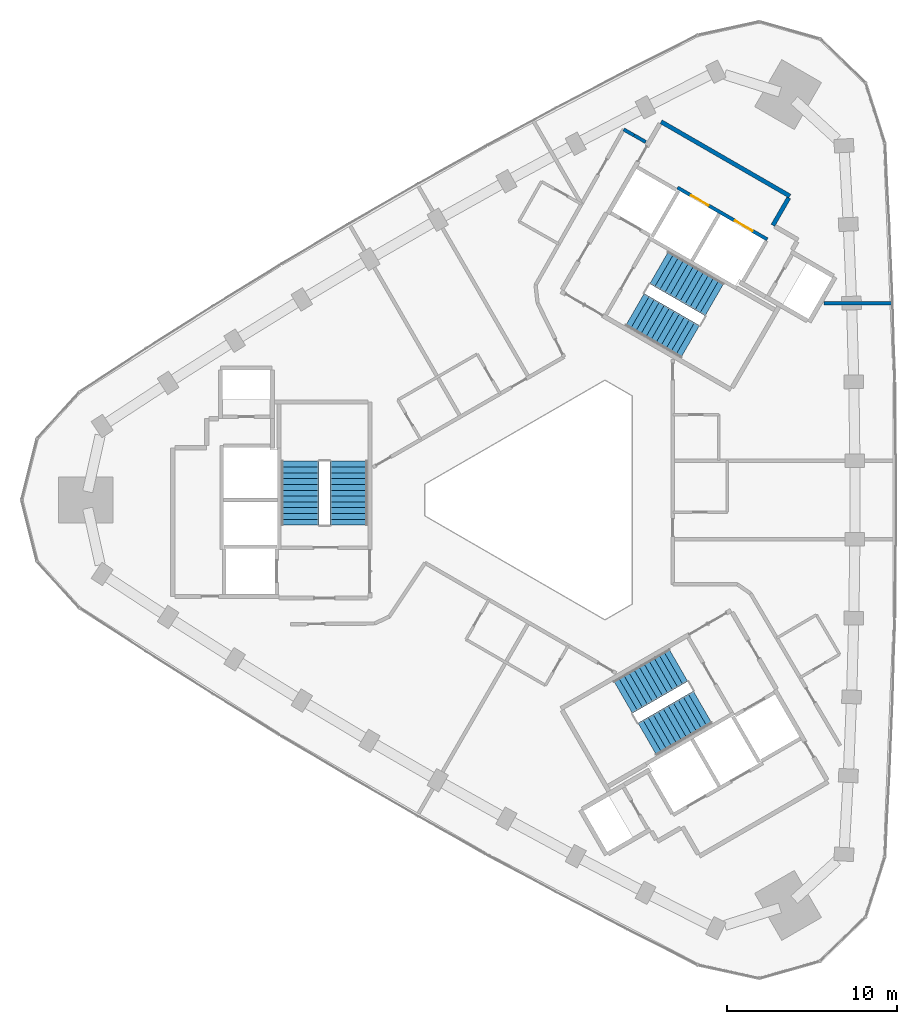
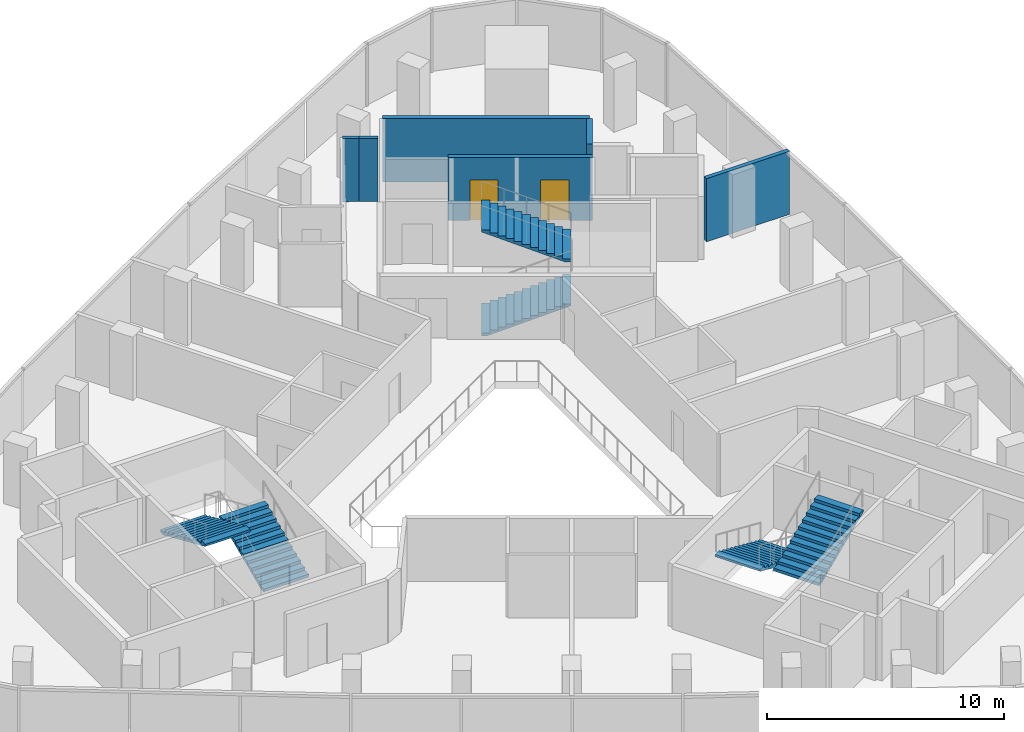
# One storey, part 10 of 11: 6 stair flights, 6 walls, 2 doors, 2 openings, 3 elements without a shape of their own.
"""IFC4 building model written with IfcOpenShell, lengths in metres."""

from ifc_helpers import new_model, si_unit, direction, frame, frame_2d, origin, place, context, subcontext, project, spatial, polyline, rectangle, outline, extrude, material, layer, layer_set, type_object, element, fill, aggregate, save


model = new_model("IFC4")

# Units and contexts
model_context = context("Model", 3, precision=1e-05, world=origin(), true_north=direction((0.0, 1.0)))
body_context = subcontext(model_context, "Body", "Model", "MODEL_VIEW")
ifc_project = project(units=[si_unit("LENGTHUNIT", "METRE"), si_unit("AREAUNIT", "SQUARE_METRE"), si_unit("VOLUMEUNIT", "CUBIC_METRE"), si_unit("PLANEANGLEUNIT", "RADIAN"), si_unit("MASSUNIT", "GRAM", prefix="KILO")], contexts=[model_context])

# Site, building, storey
site_placement = place(None, origin())
site = spatial("IfcSite", under=ifc_project, at=site_placement, CompositionType="ELEMENT")
building_placement = place(site_placement, origin())
building = spatial("IfcBuilding", under=site, at=building_placement, Name="Tamra Quay Hotel Tower", CompositionType="ELEMENT")
storey_placement = place(building_placement, frame((0.0, 0.0, 190.0)))
storey = spatial("IfcBuildingStorey", under=building, at=storey_placement, Name="L47", CompositionType="ELEMENT", Elevation=190.0)

# Wall, openings, doors
ifc_material_1 = material(Name="Concrete M70", Category="concrete")
ifc_layer_1 = layer(ifc_material_1, 0.199951171875)
ifc_layer_set_1 = layer_set([ifc_layer_1], Name="Concrete M70 core wall 200")
wall_type_1 = type_object("IfcWallType", Name="Concrete M70 core wall 200", PredefinedType="SHEAR", material=ifc_layer_set_1)
wall_1_placement = place(storey_placement, frame((12.552490234375, 15.341552734375, 0.0), z_axis=(0.0, 0.0, 1.0), x_axis=(-0.866030299012, 0.499991521122, 0.0)))
wall_1 = element("IfcWall", 1, at=wall_1_placement, inside=storey, type_object=wall_type_1, Name="CW2", PredefinedType="SHEAR", context=body_context, shape_type="SweptSolid", body=[
    extrude(rectangle(XDim=6.10009765625, YDim=0.199951171875, at=frame_2d((3.050048828125, 0.0))), origin(), (0.0, 0.0, 1.0), 3.25),
])
opening_1_placement = place(wall_1_placement, frame((1.0, 0.0, 0.0)))
opening_1 = element("IfcOpeningElement", 2, at=opening_1_placement, cuts=wall_1, Name="Opening LD", PredefinedType="OPENING", context=body_context, shape_type="SweptSolid", body=[
    extrude(rectangle(XDim=1.199951171875, YDim=2.10009765625, at=frame_2d((0.60009765625, 1.050048828125))), frame((0.0, 0.10986328125, 0.0), z_axis=(0.0, -1.0, 0.0), x_axis=(1.0, 0.0, 0.0)), (0.0, 0.0, 1.0), 0.219970703125),
])
opening_2_placement = place(wall_1_placement, frame((3.982177734375, 0.0, 0.0)))
opening_2 = element("IfcOpeningElement", 3, at=opening_2_placement, cuts=wall_1, Name="Opening LD", PredefinedType="OPENING", context=body_context, shape_type="SweptSolid", body=[
    extrude(rectangle(XDim=1.199951171875, YDim=2.10009765625, at=frame_2d((0.60009765625, 1.050048828125))), frame((0.0, 0.10986328125, 0.0), z_axis=(0.0, -1.0, 0.0), x_axis=(1.0, 0.0, 0.0)), (0.0, 0.0, 1.0), 0.219970703125),
])
ifc_material_2 = material(Name="Landing door LD 1200 double door sliding")
door_type = type_object("IfcDoorType", Name="Landing door LD 1200 double door sliding", OperationType="DOUBLE_DOOR_SLIDING", PredefinedType="DOOR", material=ifc_material_2)
door_1_placement = place(opening_1_placement, origin())
door_1 = element("IfcDoor", 4, at=door_1_placement, inside=storey, type_object=door_type, Name="LD", OperationType="DOUBLE_DOOR_SLIDING", OverallHeight=2.10009765625, OverallWidth=1.199951171875, PredefinedType="DOOR", context=body_context, shape_type="SweptSolid", body=[
    extrude(rectangle(XDim=1.199951171875, YDim=2.10009765625, at=frame_2d((0.60009765625, 1.050048828125))), frame((0.0, 0.02490234375, 0.0), z_axis=(0.0, -1.0, 0.0), x_axis=(1.0, 0.0, 0.0)), (0.0, 0.0, 1.0), 0.050048828125),
])
fill(opening_1, door_1)
door_2_placement = place(opening_2_placement, origin())
door_2 = element("IfcDoor", 5, at=door_2_placement, inside=storey, type_object=door_type, Name="LD", OperationType="DOUBLE_DOOR_SLIDING", OverallHeight=2.10009765625, OverallWidth=1.199951171875, PredefinedType="DOOR", context=body_context, shape_type="SweptSolid", body=[
    extrude(rectangle(XDim=1.199951171875, YDim=2.10009765625, at=frame_2d((0.60009765625, 1.050048828125))), frame((0.0, 0.02490234375, 0.0), z_axis=(0.0, -1.0, 0.0), x_axis=(1.0, 0.0, 0.0)), (0.0, 0.0, 1.0), 0.050048828125),
])
fill(opening_2, door_2)

# Walls
ifc_layer_2 = layer(ifc_material_1, 0.25)
ifc_layer_set_2 = layer_set([ifc_layer_2], Name="Concrete M70 core wall 250")
wall_type_2 = type_object("IfcWallType", Name="Concrete M70 core wall 250", PredefinedType="SHEAR", material=ifc_layer_set_2)
wall_2_placement = place(storey_placement, frame((6.303955078125, 22.268798828125, 0.0), z_axis=(0.0, 0.0, 1.0), x_axis=(0.866022959057, -0.500004234368, 0.0)))
element("IfcWall", 6, at=wall_2_placement, inside=storey, type_object=wall_type_2, Name="CW1", PredefinedType="SHEAR", context=body_context, shape_type="SweptSolid", body=[
    extrude(rectangle(XDim=8.75, YDim=0.25, at=frame_2d((4.375, 0.0))), origin(), (0.0, 0.0, 1.0), 3.25),
])
wall_3_placement = place(storey_placement, frame((13.819091796875, 17.78515625, 0.0), z_axis=(0.0, 0.0, 1.0), x_axis=(-0.500039802285, -0.866002422705, 0.0)))
element("IfcWall", 7, at=wall_3_placement, inside=storey, type_object=wall_type_2, Name="CW1", PredefinedType="SHEAR", context=body_context, shape_type="SweptSolid", body=[
    extrude(rectangle(XDim=1.864501953125, YDim=0.25, at=frame_2d((0.93212890625, 0.0))), origin(), (0.0, 0.0, 1.0), 3.25),
])
ifc_material_3 = material(Name="Partition corridor wall")
ifc_layer_3 = layer(ifc_material_3, 0.199951171875)
ifc_layer_set_3 = layer_set([ifc_layer_3], Name="Partition corridor wall")
wall_type_3 = type_object("IfcWallType", Name="Partition corridor wall", PredefinedType="PARTITIONING", material=ifc_layer_set_3)
wall_4_placement = place(storey_placement, frame((4.10205078125, 21.81591796875, 0.0), z_axis=(0.0, 0.0, 1.0), x_axis=(0.867664502326, -0.497150189986, 0.0)))
element("IfcWall", 8, at=wall_4_placement, inside=storey, type_object=wall_type_3, Name="W-C", PredefinedType="PARTITIONING", context=body_context, shape_type="SweptSolid", body=[
    extrude(rectangle(XDim=0.70166015625, YDim=0.199951171875, at=frame_2d((0.350830078125, 0.0))), origin(), (0.0, 0.0, 1.0), 3.25),
])
wall_5_placement = place(storey_placement, frame((4.716064453125, 21.468017578125, 0.0), z_axis=(0.0, 0.0, 1.0), x_axis=(0.865912682783, -0.500195187698, 0.0)))
element("IfcWall", 9, at=wall_5_placement, inside=storey, type_object=wall_type_3, Name="W-C", PredefinedType="PARTITIONING", context=body_context, shape_type="SweptSolid", body=[
    extrude(rectangle(XDim=0.789794921875, YDim=0.199951171875, at=frame_2d((0.39501953125, 0.0))), origin(), (0.0, 0.0, 1.0), 3.25),
])
ifc_material_4 = material(Name="Partition party wall")
ifc_layer_4 = layer(ifc_material_4, 0.199951171875)
ifc_layer_set_4 = layer_set([ifc_layer_4], Name="Partition party wall")
wall_type_4 = type_object("IfcWallType", Name="Partition party wall", PredefinedType="PARTITIONING", material=ifc_layer_set_4)
wall_6_placement = place(storey_placement, frame((15.884033203125, 11.592041015625, 0.0), z_axis=(0.0, 0.0, 1.0), x_axis=(1.0, 0.0, 0.0)))
element("IfcWall", 10, at=wall_6_placement, inside=storey, type_object=wall_type_4, Name="W-P", PredefinedType="PARTITIONING", context=body_context, shape_type="SweptSolid", body=[
    extrude(rectangle(XDim=4.0419921875, YDim=0.199951171875, at=frame_2d((2.02099609375, 0.0))), origin(), (0.0, 0.0, 1.0), 3.25),
])

# Stair, stair flights
ifc_material_5 = material(Name="Exit stair 2200 24 risers 150.0 going 342")
stair_type = type_object("IfcStairType", Name="Exit stair 2200 24 risers 150.0 going 342", PredefinedType="HALF_TURN_STAIR", material=ifc_material_5)
stair_1_placement = place(storey_placement, origin())
stair_1 = element("IfcStair", 11, at=stair_1_placement, inside=storey, type_object=stair_type, Name="L47 Exit stair ST3", PredefinedType="HALF_TURN_STAIR")
ifc_material_6 = material(Name="Exit stair flight 2200 12 risers 150.0")
stair_flight_type = type_object("IfcStairFlightType", Name="Exit stair flight 2200 12 risers 150.0", PredefinedType="STRAIGHT", material=ifc_material_6)
stair_flight_1_placement = place(storey_placement, frame((-12.082275390625, -1.47998046875, 0.0), z_axis=(0.0, 0.0, 1.0), x_axis=(0.0, 1.0, 0.0)))
stair_flight_1 = element("IfcStairFlight", 12, at=stair_flight_1_placement, type_object=stair_flight_type, Name="ST3 flight 1", NumberOfRisers=12, NumberOfTreads=11, PredefinedType="STRAIGHT", RiserHeight=0.15, TreadLength=0.342, context=body_context, shape_type="SweptSolid", body=[
    extrude(outline(polyline([(0.0, 0.0), (0.0, 0.14990234375), (0.342041015625, 0.14990234375), (0.342041015625, 0.300048828125), (0.68408203125, 0.300048828125), (0.68408203125, 0.449951171875), (1.02587890625, 0.449951171875), (1.02587890625, 0.60009765625), (1.367919921875, 0.60009765625), (1.367919921875, 0.75), (1.7099609375, 0.75), (1.7099609375, 0.89990234375), (2.052001953125, 0.89990234375), (2.052001953125, 1.050048828125), (2.39404296875, 1.050048828125), (2.39404296875, 1.199951171875), (2.736083984375, 1.199951171875), (2.736083984375, 1.35009765625), (3.077880859375, 1.35009765625), (3.077880859375, 1.5), (3.419921875, 1.5), (3.419921875, 1.64990234375), (3.761962890625, 1.64990234375), (3.761962890625, 1.800048828125), (3.761962890625, 1.540771484375), (0.249267578125, 0.0), (0.0, 0.0)])), frame((0.0, 1.10009765625, 0.0), z_axis=(0.0, -1.0, 0.0), x_axis=(1.0, 0.0, 0.0)), (0.0, 0.0, 1.0), 2.199951171875),
])
stair_flight_2_placement = place(storey_placement, frame((-14.94140625, 2.281982421875, 1.800048828125), z_axis=(0.0, 0.0, 1.0), x_axis=(0.0, -1.0, 0.0)))
stair_flight_2 = element("IfcStairFlight", 13, at=stair_flight_2_placement, type_object=stair_flight_type, Name="ST3 flight 2", NumberOfRisers=12, NumberOfTreads=11, PredefinedType="STRAIGHT", RiserHeight=0.15, TreadLength=0.342, context=body_context, shape_type="SweptSolid", body=[
    extrude(outline(polyline([(0.0, 0.0), (0.0, 0.14990234375), (0.342041015625, 0.14990234375), (0.342041015625, 0.300048828125), (0.68408203125, 0.300048828125), (0.68408203125, 0.449951171875), (1.02587890625, 0.449951171875), (1.02587890625, 0.60009765625), (1.367919921875, 0.60009765625), (1.367919921875, 0.75), (1.7099609375, 0.75), (1.7099609375, 0.89990234375), (2.052001953125, 0.89990234375), (2.052001953125, 1.050048828125), (2.39404296875, 1.050048828125), (2.39404296875, 1.199951171875), (2.736083984375, 1.199951171875), (2.736083984375, 1.35009765625), (3.077880859375, 1.35009765625), (3.077880859375, 1.5), (3.419921875, 1.5), (3.419921875, 1.64990234375), (3.761962890625, 1.64990234375), (3.761962890625, 1.800048828125), (3.761962890625, 1.540771484375), (0.249267578125, 0.0), (0.0, 0.0)])), frame((0.0, 1.10009765625, 0.0), z_axis=(0.0, -1.0, 0.0), x_axis=(1.0, 0.0, 0.0)), (0.0, 0.0, 1.0), 2.199951171875),
])
aggregate(stair_1, [stair_flight_1, stair_flight_2])

stair_2_placement = place(storey_placement, origin())
stair_2 = element("IfcStair", 14, at=stair_2_placement, inside=storey, type_object=stair_type, Name="L47 Exit stair ST1", PredefinedType="HALF_TURN_STAIR")
stair_flight_3_placement = place(storey_placement, frame((4.75927734375, 11.20361328125, 0.0), z_axis=(0.0, 0.0, 1.0), x_axis=(0.866025403784, -0.5, 0.0)))
stair_flight_3 = element("IfcStairFlight", 15, at=stair_flight_3_placement, type_object=stair_flight_type, Name="ST1 flight 1", NumberOfRisers=12, NumberOfTreads=11, PredefinedType="STRAIGHT", RiserHeight=0.15, TreadLength=0.342, context=body_context, shape_type="SweptSolid", body=[
    extrude(outline(polyline([(0.0, 0.0), (0.0, 0.14990234375), (0.342041015625, 0.14990234375), (0.342041015625, 0.300048828125), (0.68408203125, 0.300048828125), (0.68408203125, 0.449951171875), (1.02587890625, 0.449951171875), (1.02587890625, 0.60009765625), (1.367919921875, 0.60009765625), (1.367919921875, 0.75), (1.7099609375, 0.75), (1.7099609375, 0.89990234375), (2.052001953125, 0.89990234375), (2.052001953125, 1.050048828125), (2.39404296875, 1.050048828125), (2.39404296875, 1.199951171875), (2.736083984375, 1.199951171875), (2.736083984375, 1.35009765625), (3.077880859375, 1.35009765625), (3.077880859375, 1.5), (3.419921875, 1.5), (3.419921875, 1.64990234375), (3.761962890625, 1.64990234375), (3.761962890625, 1.800048828125), (3.761962890625, 1.540771484375), (0.249267578125, 0.0), (0.0, 0.0)])), frame((0.0, 1.10009765625, 0.0), z_axis=(0.0, -1.0, 0.0), x_axis=(1.0, 0.0, 0.0)), (0.0, 0.0, 1.0), 2.199951171875),
])
stair_flight_4_placement = place(storey_placement, frame((9.44677734375, 11.798583984375, 1.800048828125), z_axis=(0.0, 0.0, 1.0), x_axis=(-0.866025403784, 0.5, 0.0)))
stair_flight_4 = element("IfcStairFlight", 16, at=stair_flight_4_placement, type_object=stair_flight_type, Name="ST1 flight 2", NumberOfRisers=12, NumberOfTreads=11, PredefinedType="STRAIGHT", RiserHeight=0.15, TreadLength=0.342, context=body_context, shape_type="SweptSolid", body=[
    extrude(outline(polyline([(0.0, 0.0), (0.0, 0.14990234375), (0.342041015625, 0.14990234375), (0.342041015625, 0.300048828125), (0.68408203125, 0.300048828125), (0.68408203125, 0.449951171875), (1.02587890625, 0.449951171875), (1.02587890625, 0.60009765625), (1.367919921875, 0.60009765625), (1.367919921875, 0.75), (1.7099609375, 0.75), (1.7099609375, 0.89990234375), (2.052001953125, 0.89990234375), (2.052001953125, 1.050048828125), (2.39404296875, 1.050048828125), (2.39404296875, 1.199951171875), (2.736083984375, 1.199951171875), (2.736083984375, 1.35009765625), (3.077880859375, 1.35009765625), (3.077880859375, 1.5), (3.419921875, 1.5), (3.419921875, 1.64990234375), (3.761962890625, 1.64990234375), (3.761962890625, 1.800048828125), (3.761962890625, 1.540771484375), (0.249267578125, 0.0), (0.0, 0.0)])), frame((0.0, 1.10009765625, 0.0), z_axis=(0.0, -1.0, 0.0), x_axis=(1.0, 0.0, 0.0)), (0.0, 0.0, 1.0), 2.199951171875),
])
aggregate(stair_2, [stair_flight_3, stair_flight_4])

stair_3_placement = place(storey_placement, origin())
stair_3 = element("IfcStair", 17, at=stair_3_placement, inside=storey, type_object=stair_type, Name="L47 Exit stair ST2", PredefinedType="HALF_TURN_STAIR")
stair_flight_5_placement = place(storey_placement, frame((7.322998046875, -9.7236328125, 0.0), z_axis=(0.0, 0.0, 1.0), x_axis=(-0.866025403784, -0.5, 0.0)))
stair_flight_5 = element("IfcStairFlight", 18, at=stair_flight_5_placement, type_object=stair_flight_type, Name="ST2 flight 1", NumberOfRisers=12, NumberOfTreads=11, PredefinedType="STRAIGHT", RiserHeight=0.15, TreadLength=0.342, context=body_context, shape_type="SweptSolid", body=[
    extrude(outline(polyline([(0.0, 0.0), (0.0, 0.14990234375), (0.342041015625, 0.14990234375), (0.342041015625, 0.300048828125), (0.68408203125, 0.300048828125), (0.68408203125, 0.449951171875), (1.02587890625, 0.449951171875), (1.02587890625, 0.60009765625), (1.367919921875, 0.60009765625), (1.367919921875, 0.75), (1.7099609375, 0.75), (1.7099609375, 0.89990234375), (2.052001953125, 0.89990234375), (2.052001953125, 1.050048828125), (2.39404296875, 1.050048828125), (2.39404296875, 1.199951171875), (2.736083984375, 1.199951171875), (2.736083984375, 1.35009765625), (3.077880859375, 1.35009765625), (3.077880859375, 1.5), (3.419921875, 1.5), (3.419921875, 1.64990234375), (3.761962890625, 1.64990234375), (3.761962890625, 1.800048828125), (3.761962890625, 1.540771484375), (0.249267578125, 0.0), (0.0, 0.0)])), frame((0.0, 1.10009765625, 0.0), z_axis=(0.0, -1.0, 0.0), x_axis=(1.0, 0.0, 0.0)), (0.0, 0.0, 1.0), 2.199951171875),
])
stair_flight_6_placement = place(storey_placement, frame((5.494384765625, -14.08056640625, 1.800048828125), z_axis=(0.0, 0.0, 1.0), x_axis=(0.866025403784, 0.5, 0.0)))
stair_flight_6 = element("IfcStairFlight", 19, at=stair_flight_6_placement, type_object=stair_flight_type, Name="ST2 flight 2", NumberOfRisers=12, NumberOfTreads=11, PredefinedType="STRAIGHT", RiserHeight=0.15, TreadLength=0.342, context=body_context, shape_type="SweptSolid", body=[
    extrude(outline(polyline([(0.0, 0.0), (0.0, 0.14990234375), (0.342041015625, 0.14990234375), (0.342041015625, 0.300048828125), (0.68408203125, 0.300048828125), (0.68408203125, 0.449951171875), (1.02587890625, 0.449951171875), (1.02587890625, 0.60009765625), (1.367919921875, 0.60009765625), (1.367919921875, 0.75), (1.7099609375, 0.75), (1.7099609375, 0.89990234375), (2.052001953125, 0.89990234375), (2.052001953125, 1.050048828125), (2.39404296875, 1.050048828125), (2.39404296875, 1.199951171875), (2.736083984375, 1.199951171875), (2.736083984375, 1.35009765625), (3.077880859375, 1.35009765625), (3.077880859375, 1.5), (3.419921875, 1.5), (3.419921875, 1.64990234375), (3.761962890625, 1.64990234375), (3.761962890625, 1.800048828125), (3.761962890625, 1.540771484375), (0.249267578125, 0.0), (0.0, 0.0)])), frame((0.0, 1.10009765625, 0.0), z_axis=(0.0, -1.0, 0.0), x_axis=(1.0, 0.0, 0.0)), (0.0, 0.0, 1.0), 2.199951171875),
])
aggregate(stair_3, [stair_flight_5, stair_flight_6])

save(model, "model.ifc")
